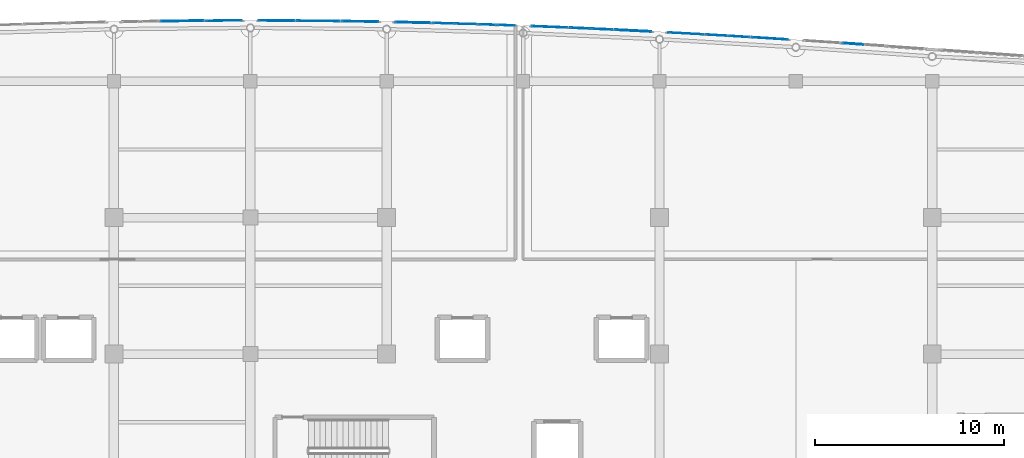
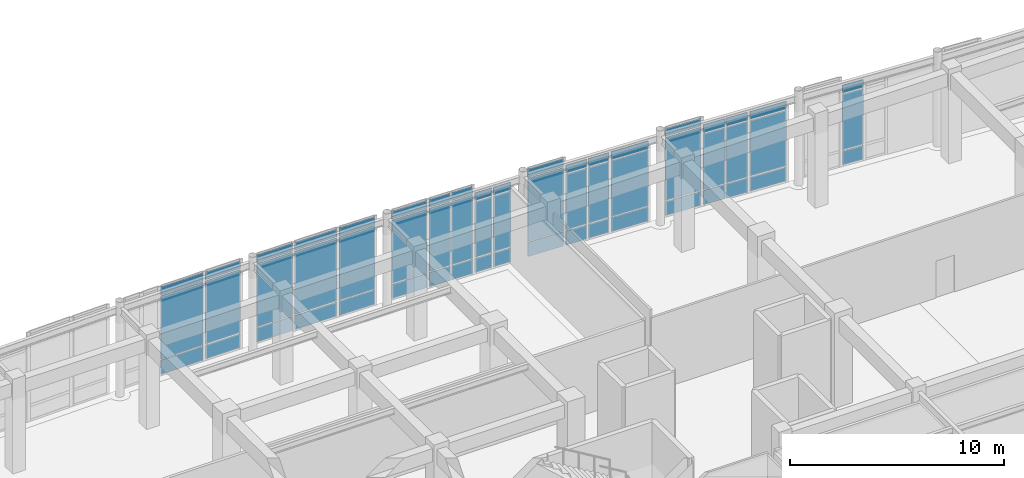
# One storey, part 66 of 102: 57 plates, 15 elements without a shape of their own.
"""IFC4 building model written with IfcOpenShell, lengths in metres."""

from ifc_helpers import new_model, si_unit, direction, frame, origin, origin_2d, place, context, subcontext, project, spatial, rectangle, extrude, material, layer, layer_set, type_object, element, aggregate, save


model = new_model("IFC4")

# Units and contexts
model_context = context("Model", 3, precision=1e-05, world=origin(), true_north=direction((0.0, 1.0)))
body_context = subcontext(model_context, "Body", "Model", "MODEL_VIEW")
ifc_project = project(units=[si_unit("LENGTHUNIT", "METRE"), si_unit("AREAUNIT", "SQUARE_METRE"), si_unit("VOLUMEUNIT", "CUBIC_METRE"), si_unit("PLANEANGLEUNIT", "RADIAN"), si_unit("MASSUNIT", "GRAM", prefix="KILO")], contexts=[model_context])

# Site, building, storey
site_placement = place(None, origin())
site = spatial("IfcSite", under=ifc_project, at=site_placement, CompositionType="ELEMENT")
building_placement = place(site_placement, origin())
building = spatial("IfcBuilding", under=site, at=building_placement, Name="Carrowvane Square Congress Hotel", CompositionType="ELEMENT")
storey_placement = place(building_placement, origin())
storey = spatial("IfcBuildingStorey", under=building, at=storey_placement, Name="L00", CompositionType="ELEMENT", Elevation=0.0)

# Curtain wall, plates
ifc_material_1 = material(Name="Anodised aluminium", Category="aluminium")
ifc_layer_1 = layer(ifc_material_1, 0.174072265625)
ifc_layer_set_1 = layer_set([ifc_layer_1], Name="Anodised aluminium")
curtain_wall_type_1 = type_object("IfcCurtainWallType", Name="CW-SYS-2", PredefinedType="NOTDEFINED", material=ifc_layer_set_1)
curtain_wall_1_placement = place(storey_placement, origin())
curtain_wall_1 = element("IfcCurtainWall", 1, at=curtain_wall_1_placement, inside=storey, type_object=curtain_wall_type_1, Name="L00 unitised curtain wall 25", PredefinedType="NOTDEFINED")
ifc_material_2 = material(Name="Double-glazed low-E glass", Category="glass")
ifc_layer_2 = layer(ifc_material_2, 0.028076171875)
ifc_layer_set_2 = layer_set([ifc_layer_2], Name="Double-glazed low-E glass")
plate_type_1 = type_object("IfcPlateType", Name="CW-PAN-1", PredefinedType="CURTAIN_PANEL", material=ifc_layer_set_2)
plate_1_placement = place(storey_placement, frame((96.607666015625, 116.595458984375, 0.070068359375), z_axis=(0.0, 0.0, 1.0), x_axis=(0.999994652529, 0.003270307911, 0.0)))
plate_1 = element("IfcPlate", 2, at=plate_1_placement, type_object=plate_type_1, Name="CW-2 panel 1.1", PredefinedType="CURTAIN_PANEL", context=body_context, shape_type="SweptSolid", body=[
    extrude(rectangle(XDim=1.875, YDim=0.028076171875, at=origin_2d()), origin(), (0.0, 0.0, 1.0), 0.794921875),
])
plate_2_placement = place(storey_placement, frame((96.607666015625, 116.595458984375, 0.93505859375), z_axis=(0.0, 0.0, 1.0), x_axis=(0.999994652529, 0.003270307911, 0.0)))
plate_2 = element("IfcPlate", 3, at=plate_2_placement, type_object=plate_type_1, Name="CW-2 panel 1.2", PredefinedType="CURTAIN_PANEL", context=body_context, shape_type="SweptSolid", body=[
    extrude(rectangle(XDim=1.875, YDim=0.028076171875, at=origin_2d()), origin(), (0.0, 0.0, 1.0), 3.580078125),
])
plate_3_placement = place(storey_placement, frame((96.607666015625, 116.595458984375, 4.5849609375), z_axis=(0.0, 0.0, 1.0), x_axis=(0.999994652529, 0.003270307911, 0.0)))
plate_3 = element("IfcPlate", 4, at=plate_3_placement, type_object=plate_type_1, Name="CW-2 panel 1.3", PredefinedType="CURTAIN_PANEL", context=body_context, shape_type="SweptSolid", body=[
    extrude(rectangle(XDim=1.875, YDim=0.028076171875, at=origin_2d()), origin(), (0.0, 0.0, 1.0), 0.445068359375),
])
aggregate(curtain_wall_1, [plate_1, plate_2, plate_3])

ifc_material_3 = material(Name="Anodised aluminium", Category="aluminium")
ifc_layer_3 = layer(ifc_material_3, 0.23388671875)
ifc_layer_set_3 = layer_set([ifc_layer_3], Name="Anodised aluminium")
curtain_wall_type_2 = type_object("IfcCurtainWallType", Name="CW-SYS-7", PredefinedType="NOTDEFINED", material=ifc_layer_set_3)
curtain_wall_2_placement = place(storey_placement, origin())
curtain_wall_2 = element("IfcCurtainWall", 5, at=curtain_wall_2_placement, inside=storey, type_object=curtain_wall_type_2, Name="L00 unitised curtain wall 30", PredefinedType="NOTDEFINED")
plate_4_placement = place(storey_placement, frame((108.215087890625, 116.4580078125, 0.06005859375), z_axis=(0.0, 0.0, 1.0), x_axis=(0.999589848065, -0.028638010501, 0.0)))
plate_4 = element("IfcPlate", 6, at=plate_4_placement, type_object=plate_type_1, Name="CW-7 panel 1.1", PredefinedType="CURTAIN_PANEL", context=body_context, shape_type="SweptSolid", body=[
    extrude(rectangle(XDim=1.110595703125, YDim=0.028076171875, at=origin_2d()), origin(), (0.0, 0.0, 1.0), 0.81005859375),
])
plate_5_placement = place(storey_placement, frame((108.215087890625, 116.4580078125, 0.93017578125), z_axis=(0.0, 0.0, 1.0), x_axis=(0.999589848065, -0.028638010501, 0.0)))
plate_5 = element("IfcPlate", 7, at=plate_5_placement, type_object=plate_type_1, Name="CW-7 panel 1.2", PredefinedType="CURTAIN_PANEL", context=body_context, shape_type="SweptSolid", body=[
    extrude(rectangle(XDim=1.110595703125, YDim=0.028076171875, at=origin_2d()), origin(), (0.0, 0.0, 1.0), 3.590087890625),
])
plate_6_placement = place(storey_placement, frame((108.215087890625, 116.4580078125, 4.580078125), z_axis=(0.0, 0.0, 1.0), x_axis=(0.999589848065, -0.028638010501, 0.0)))
plate_6 = element("IfcPlate", 8, at=plate_6_placement, type_object=plate_type_1, Name="CW-7 panel 1.3", PredefinedType="CURTAIN_PANEL", context=body_context, shape_type="SweptSolid", body=[
    extrude(rectangle(XDim=1.110595703125, YDim=0.028076171875, at=origin_2d()), origin(), (0.0, 0.0, 1.0), 0.4599609375),
])
plate_7_placement = place(storey_placement, frame((109.385009765625, 116.424560546875, 0.06005859375), z_axis=(0.0, 0.0, 1.0), x_axis=(0.999589848065, -0.028638010501, 0.0)))
plate_7 = element("IfcPlate", 9, at=plate_7_placement, type_object=plate_type_1, Name="CW-7 panel 2.1", PredefinedType="CURTAIN_PANEL", context=body_context, shape_type="SweptSolid", body=[
    extrude(rectangle(XDim=1.110595703125, YDim=0.028076171875, at=origin_2d()), origin(), (0.0, 0.0, 1.0), 0.81005859375),
])
plate_8_placement = place(storey_placement, frame((109.385009765625, 116.424560546875, 0.93017578125), z_axis=(0.0, 0.0, 1.0), x_axis=(0.999589848065, -0.028638010501, 0.0)))
plate_8 = element("IfcPlate", 10, at=plate_8_placement, type_object=plate_type_1, Name="CW-7 panel 2.2", PredefinedType="CURTAIN_PANEL", context=body_context, shape_type="SweptSolid", body=[
    extrude(rectangle(XDim=1.110595703125, YDim=0.028076171875, at=origin_2d()), origin(), (0.0, 0.0, 1.0), 3.590087890625),
])
plate_9_placement = place(storey_placement, frame((109.385009765625, 116.424560546875, 4.580078125), z_axis=(0.0, 0.0, 1.0), x_axis=(0.999589848065, -0.028638010501, 0.0)))
plate_9 = element("IfcPlate", 11, at=plate_9_placement, type_object=plate_type_1, Name="CW-7 panel 2.3", PredefinedType="CURTAIN_PANEL", context=body_context, shape_type="SweptSolid", body=[
    extrude(rectangle(XDim=1.110595703125, YDim=0.028076171875, at=origin_2d()), origin(), (0.0, 0.0, 1.0), 0.4599609375),
])
aggregate(curtain_wall_2, [plate_4, plate_5, plate_6, plate_7, plate_8, plate_9])

ifc_material_4 = material(Name="Anodised aluminium", Category="aluminium")
ifc_layer_4 = layer(ifc_material_4, 0.197998046875)
ifc_layer_set_4 = layer_set([ifc_layer_4], Name="Anodised aluminium")
curtain_wall_type_3 = type_object("IfcCurtainWallType", Name="CW-SYS-4", PredefinedType="NOTDEFINED", material=ifc_layer_set_4)
curtain_wall_3_placement = place(storey_placement, origin())
curtain_wall_3 = element("IfcCurtainWall", 12, at=curtain_wall_3_placement, inside=storey, type_object=curtain_wall_type_3, Name="L00 unitised curtain wall 35", PredefinedType="NOTDEFINED")
plate_10_placement = place(storey_placement, frame((121.002197265625, 115.920654296875, 0.070068359375), z_axis=(0.0, 0.0, 1.0), x_axis=(0.998496473856, -0.054815980317, 0.0)))
plate_10 = element("IfcPlate", 13, at=plate_10_placement, type_object=plate_type_1, Name="CW-4 panel 1.1", PredefinedType="CURTAIN_PANEL", context=body_context, shape_type="SweptSolid", body=[
    extrude(rectangle(XDim=1.8583984375, YDim=0.028076171875, at=origin_2d()), origin(), (0.0, 0.0, 1.0), 0.794921875),
])
plate_11_placement = place(storey_placement, frame((121.002197265625, 115.920654296875, 0.93505859375), z_axis=(0.0, 0.0, 1.0), x_axis=(0.998496473856, -0.054815980317, 0.0)))
plate_11 = element("IfcPlate", 14, at=plate_11_placement, type_object=plate_type_1, Name="CW-4 panel 1.2", PredefinedType="CURTAIN_PANEL", context=body_context, shape_type="SweptSolid", body=[
    extrude(rectangle(XDim=1.8583984375, YDim=0.028076171875, at=origin_2d()), origin(), (0.0, 0.0, 1.0), 3.580078125),
])
plate_12_placement = place(storey_placement, frame((121.002197265625, 115.920654296875, 4.5849609375), z_axis=(0.0, 0.0, 1.0), x_axis=(0.998496473856, -0.054815980317, 0.0)))
plate_12 = element("IfcPlate", 15, at=plate_12_placement, type_object=plate_type_1, Name="CW-4 panel 1.3", PredefinedType="CURTAIN_PANEL", context=body_context, shape_type="SweptSolid", body=[
    extrude(rectangle(XDim=1.8583984375, YDim=0.028076171875, at=origin_2d()), origin(), (0.0, 0.0, 1.0), 0.445068359375),
])
aggregate(curtain_wall_3, [plate_10, plate_11, plate_12])

ifc_material_5 = material(Name="Anodised aluminium", Category="aluminium")
ifc_layer_5 = layer(ifc_material_5, 0.18603515625)
ifc_layer_set_5 = layer_set([ifc_layer_5], Name="Anodised aluminium")
curtain_wall_type_4 = type_object("IfcCurtainWallType", Name="CW-SYS-3", PredefinedType="NOTDEFINED", material=ifc_layer_set_5)
curtain_wall_4_placement = place(storey_placement, origin())
curtain_wall_4 = element("IfcCurtainWall", 16, at=curtain_wall_4_placement, inside=storey, type_object=curtain_wall_type_4, Name="L00 unitised curtain wall 26", PredefinedType="NOTDEFINED")
ifc_material_6 = material(Name="Double-glazed low-E glass", Category="glass")
ifc_layer_6 = layer(ifc_material_6, 0.031982421875)
ifc_layer_set_6 = layer_set([ifc_layer_6], Name="Double-glazed low-E glass")
plate_type_2 = type_object("IfcPlateType", Name="CW-PAN-2", PredefinedType="CURTAIN_PANEL", material=ifc_layer_set_6)
plate_13_placement = place(storey_placement, frame((99.392333984375, 116.595458984375, 0.06005859375), z_axis=(0.0, 0.0, 1.0), x_axis=(0.999994652529, -0.003270307911, 0.0)))
plate_13 = element("IfcPlate", 17, at=plate_13_placement, type_object=plate_type_2, Name="CW-3 panel 1.1", PredefinedType="CURTAIN_PANEL", context=body_context, shape_type="SweptSolid", body=[
    extrude(rectangle(XDim=1.89501953125, YDim=0.031982421875, at=origin_2d()), origin(), (0.0, 0.0, 1.0), 0.81005859375),
])
plate_14_placement = place(storey_placement, frame((99.392333984375, 116.595458984375, 0.93017578125), z_axis=(0.0, 0.0, 1.0), x_axis=(0.999994652529, -0.003270307911, 0.0)))
plate_14 = element("IfcPlate", 18, at=plate_14_placement, type_object=plate_type_2, Name="CW-3 panel 1.2", PredefinedType="CURTAIN_PANEL", context=body_context, shape_type="SweptSolid", body=[
    extrude(rectangle(XDim=1.89501953125, YDim=0.031982421875, at=origin_2d()), origin(), (0.0, 0.0, 1.0), 3.590087890625),
])
plate_15_placement = place(storey_placement, frame((99.392333984375, 116.595458984375, 4.580078125), z_axis=(0.0, 0.0, 1.0), x_axis=(0.999994652529, -0.003270307911, 0.0)))
plate_15 = element("IfcPlate", 19, at=plate_15_placement, type_object=plate_type_2, Name="CW-3 panel 1.3", PredefinedType="CURTAIN_PANEL", context=body_context, shape_type="SweptSolid", body=[
    extrude(rectangle(XDim=1.89501953125, YDim=0.031982421875, at=origin_2d()), origin(), (0.0, 0.0, 1.0), 0.4599609375),
])
aggregate(curtain_wall_4, [plate_13, plate_14, plate_15])

ifc_material_7 = material(Name="Anodised aluminium", Category="aluminium")
ifc_layer_7 = layer(ifc_material_7, 0.24609375)
ifc_layer_set_7 = layer_set([ifc_layer_7], Name="Anodised aluminium")
curtain_wall_type_5 = type_object("IfcCurtainWallType", Name="CW-SYS-8", PredefinedType="NOTDEFINED", material=ifc_layer_set_7)
curtain_wall_5_placement = place(storey_placement, origin())
curtain_wall_5 = element("IfcCurtainWall", 20, at=curtain_wall_5_placement, inside=storey, type_object=curtain_wall_type_5, Name="L00 unitised curtain wall 31", PredefinedType="NOTDEFINED")
plate_16_placement = place(storey_placement, frame((110.52490234375, 116.388916015625, 0.070068359375), z_axis=(0.0, 0.0, 1.0), x_axis=(0.999403663525, -0.034529948347, 0.0)))
plate_16 = element("IfcPlate", 21, at=plate_16_placement, type_object=plate_type_2, Name="CW-8 panel 1.1", PredefinedType="CURTAIN_PANEL", context=body_context, shape_type="SweptSolid", body=[
    extrude(rectangle(XDim=0.910400390625, YDim=0.031982421875, at=origin_2d()), origin(), (0.0, 0.0, 1.0), 0.794921875),
])
plate_17_placement = place(storey_placement, frame((110.52490234375, 116.388916015625, 0.93505859375), z_axis=(0.0, 0.0, 1.0), x_axis=(0.999403663525, -0.034529948347, 0.0)))
plate_17 = element("IfcPlate", 22, at=plate_17_placement, type_object=plate_type_2, Name="CW-8 panel 1.2", PredefinedType="CURTAIN_PANEL", context=body_context, shape_type="SweptSolid", body=[
    extrude(rectangle(XDim=0.910400390625, YDim=0.031982421875, at=origin_2d()), origin(), (0.0, 0.0, 1.0), 3.155517578125),
])
plate_18_placement = place(storey_placement, frame((110.52490234375, 116.388916015625, 4.16064453125), z_axis=(0.0, 0.0, 1.0), x_axis=(0.999403663525, -0.034529948347, 0.0)))
plate_18 = element("IfcPlate", 23, at=plate_18_placement, type_object=plate_type_2, Name="CW-8 panel 1.3", PredefinedType="CURTAIN_PANEL", context=body_context, shape_type="SweptSolid", body=[
    extrude(rectangle(XDim=0.910400390625, YDim=0.031982421875, at=origin_2d()), origin(), (0.0, 0.0, 1.0), 0.445068359375),
])
plate_19_placement = place(storey_placement, frame((111.504638671875, 116.35498046875, 0.070068359375), z_axis=(0.0, 0.0, 1.0), x_axis=(0.999403663525, -0.034529948347, 0.0)))
plate_19 = element("IfcPlate", 24, at=plate_19_placement, type_object=plate_type_2, Name="CW-8 panel 2.1", PredefinedType="CURTAIN_PANEL", context=body_context, shape_type="SweptSolid", body=[
    extrude(rectangle(XDim=0.910400390625, YDim=0.031982421875, at=origin_2d()), origin(), (0.0, 0.0, 1.0), 0.794921875),
])
plate_20_placement = place(storey_placement, frame((111.504638671875, 116.35498046875, 0.93505859375), z_axis=(0.0, 0.0, 1.0), x_axis=(0.999403663525, -0.034529948347, 0.0)))
plate_20 = element("IfcPlate", 25, at=plate_20_placement, type_object=plate_type_2, Name="CW-8 panel 2.2", PredefinedType="CURTAIN_PANEL", context=body_context, shape_type="SweptSolid", body=[
    extrude(rectangle(XDim=0.910400390625, YDim=0.031982421875, at=origin_2d()), origin(), (0.0, 0.0, 1.0), 3.155517578125),
])
plate_21_placement = place(storey_placement, frame((111.504638671875, 116.35498046875, 4.16064453125), z_axis=(0.0, 0.0, 1.0), x_axis=(0.999403663525, -0.034529948347, 0.0)))
plate_21 = element("IfcPlate", 26, at=plate_21_placement, type_object=plate_type_2, Name="CW-8 panel 2.3", PredefinedType="CURTAIN_PANEL", context=body_context, shape_type="SweptSolid", body=[
    extrude(rectangle(XDim=0.910400390625, YDim=0.031982421875, at=origin_2d()), origin(), (0.0, 0.0, 1.0), 0.445068359375),
])
aggregate(curtain_wall_5, [plate_16, plate_17, plate_18, plate_19, plate_20, plate_21])

ifc_material_8 = material(Name="Anodised aluminium", Category="aluminium")
ifc_layer_8 = layer(ifc_material_8, 0.2099609375)
ifc_layer_set_8 = layer_set([ifc_layer_8], Name="Anodised aluminium")
curtain_wall_type_6 = type_object("IfcCurtainWallType", Name="CW-SYS-5", PredefinedType="NOTDEFINED", material=ifc_layer_set_8)
curtain_wall_6_placement = place(storey_placement, origin())
curtain_wall_6 = element("IfcCurtainWall", 27, at=curtain_wall_6_placement, inside=storey, type_object=curtain_wall_type_6, Name="L00 unitised curtain wall 36", PredefinedType="NOTDEFINED")
plate_22_placement = place(storey_placement, frame((122.614990234375, 115.82958984375, 0.06005859375), z_axis=(0.0, 0.0, 1.0), x_axis=(0.998266763162, -0.058851249486, 0.0)))
plate_22 = element("IfcPlate", 28, at=plate_22_placement, type_object=plate_type_2, Name="CW-5 panel 1.1", PredefinedType="CURTAIN_PANEL", context=body_context, shape_type="SweptSolid", body=[
    extrude(rectangle(XDim=1.112060546875, YDim=0.031982421875, at=origin_2d()), origin(), (0.0, 0.0, 1.0), 0.81005859375),
])
plate_23_placement = place(storey_placement, frame((122.614990234375, 115.82958984375, 0.929931640625), z_axis=(0.0, 0.0, 1.0), x_axis=(0.998266763162, -0.058851249486, 0.0)))
plate_23 = element("IfcPlate", 29, at=plate_23_placement, type_object=plate_type_2, Name="CW-5 panel 1.2", PredefinedType="CURTAIN_PANEL", context=body_context, shape_type="SweptSolid", body=[
    extrude(rectangle(XDim=1.112060546875, YDim=0.031982421875, at=origin_2d()), origin(), (0.0, 0.0, 1.0), 3.16552734375),
])
plate_24_placement = place(storey_placement, frame((122.614990234375, 115.82958984375, 4.155517578125), z_axis=(0.0, 0.0, 1.0), x_axis=(0.998266763162, -0.058851249486, 0.0)))
plate_24 = element("IfcPlate", 30, at=plate_24_placement, type_object=plate_type_2, Name="CW-5 panel 1.3", PredefinedType="CURTAIN_PANEL", context=body_context, shape_type="SweptSolid", body=[
    extrude(rectangle(XDim=1.112060546875, YDim=0.031982421875, at=origin_2d()), origin(), (0.0, 0.0, 1.0), 0.4599609375),
])
plate_25_placement = place(storey_placement, frame((123.78515625, 115.760498046875, 0.06005859375), z_axis=(0.0, 0.0, 1.0), x_axis=(0.998266763162, -0.058851249486, 0.0)))
plate_25 = element("IfcPlate", 31, at=plate_25_placement, type_object=plate_type_2, Name="CW-5 panel 2.1", PredefinedType="CURTAIN_PANEL", context=body_context, shape_type="SweptSolid", body=[
    extrude(rectangle(XDim=1.112060546875, YDim=0.031982421875, at=origin_2d()), origin(), (0.0, 0.0, 1.0), 0.81005859375),
])
plate_26_placement = place(storey_placement, frame((123.78515625, 115.760498046875, 0.929931640625), z_axis=(0.0, 0.0, 1.0), x_axis=(0.998266763162, -0.058851249486, 0.0)))
plate_26 = element("IfcPlate", 32, at=plate_26_placement, type_object=plate_type_2, Name="CW-5 panel 2.2", PredefinedType="CURTAIN_PANEL", context=body_context, shape_type="SweptSolid", body=[
    extrude(rectangle(XDim=1.112060546875, YDim=0.031982421875, at=origin_2d()), origin(), (0.0, 0.0, 1.0), 3.16552734375),
])
plate_27_placement = place(storey_placement, frame((123.78515625, 115.760498046875, 4.155517578125), z_axis=(0.0, 0.0, 1.0), x_axis=(0.998266763162, -0.058851249486, 0.0)))
plate_27 = element("IfcPlate", 33, at=plate_27_placement, type_object=plate_type_2, Name="CW-5 panel 2.3", PredefinedType="CURTAIN_PANEL", context=body_context, shape_type="SweptSolid", body=[
    extrude(rectangle(XDim=1.112060546875, YDim=0.031982421875, at=origin_2d()), origin(), (0.0, 0.0, 1.0), 0.4599609375),
])
aggregate(curtain_wall_6, [plate_22, plate_23, plate_24, plate_25, plate_26, plate_27])

curtain_wall_7_placement = place(storey_placement, origin())
curtain_wall_7 = element("IfcCurtainWall", 34, at=curtain_wall_7_placement, inside=storey, type_object=curtain_wall_type_3, Name="L00 unitised curtain wall 27", PredefinedType="NOTDEFINED")
ifc_material_9 = material(Name="Double-glazed low-E glass", Category="glass")
ifc_layer_9 = layer(ifc_material_9, 0.035888671875)
ifc_layer_set_9 = layer_set([ifc_layer_9], Name="Double-glazed low-E glass")
plate_type_3 = type_object("IfcPlateType", Name="CW-PAN-3", PredefinedType="CURTAIN_PANEL", material=ifc_layer_set_9)
plate_28_placement = place(storey_placement, frame((101.60009765625, 116.580322265625, 0.070068359375), z_axis=(0.0, 0.0, 1.0), x_axis=(0.999952146231, -0.009782905924, 0.0)))
plate_28 = element("IfcPlate", 35, at=plate_28_placement, type_object=plate_type_3, Name="CW-4 panel 1.1", PredefinedType="CURTAIN_PANEL", context=body_context, shape_type="SweptSolid", body=[
    extrude(rectangle(XDim=2.260009765625, YDim=0.035888671875, at=origin_2d()), origin(), (0.0, 0.0, 1.0), 0.794921875),
])
plate_29_placement = place(storey_placement, frame((101.60009765625, 116.580322265625, 0.93505859375), z_axis=(0.0, 0.0, 1.0), x_axis=(0.999952146231, -0.009782905924, 0.0)))
plate_29 = element("IfcPlate", 36, at=plate_29_placement, type_object=plate_type_3, Name="CW-4 panel 1.2", PredefinedType="CURTAIN_PANEL", context=body_context, shape_type="SweptSolid", body=[
    extrude(rectangle(XDim=2.260009765625, YDim=0.035888671875, at=origin_2d()), origin(), (0.0, 0.0, 1.0), 3.580078125),
])
plate_30_placement = place(storey_placement, frame((101.60009765625, 116.580322265625, 4.5849609375), z_axis=(0.0, 0.0, 1.0), x_axis=(0.999952146231, -0.009782905924, 0.0)))
plate_30 = element("IfcPlate", 37, at=plate_30_placement, type_object=plate_type_3, Name="CW-4 panel 1.3", PredefinedType="CURTAIN_PANEL", context=body_context, shape_type="SweptSolid", body=[
    extrude(rectangle(XDim=2.260009765625, YDim=0.035888671875, at=origin_2d()), origin(), (0.0, 0.0, 1.0), 0.445068359375),
])
aggregate(curtain_wall_7, [plate_28, plate_29, plate_30])

ifc_material_10 = material(Name="Anodised aluminium", Category="aluminium")
ifc_layer_10 = layer(ifc_material_10, 0.162109375)
ifc_layer_set_10 = layer_set([ifc_layer_10], Name="Anodised aluminium")
curtain_wall_type_7 = type_object("IfcCurtainWallType", Name="CW-SYS-1", PredefinedType="NOTDEFINED", material=ifc_layer_set_10)
curtain_wall_8_placement = place(storey_placement, origin())
curtain_wall_8 = element("IfcCurtainWall", 38, at=curtain_wall_8_placement, inside=storey, type_object=curtain_wall_type_7, Name="L00 unitised curtain wall 32", PredefinedType="NOTDEFINED")
plate_31_placement = place(storey_placement, frame((113.79931640625, 116.267822265625, 0.06005859375), z_axis=(0.0, 0.0, 1.0), x_axis=(0.999194428656, -0.040130957403, 0.0)))
plate_31 = element("IfcPlate", 39, at=plate_31_placement, type_object=plate_type_3, Name="CW-1 panel 1.1", PredefinedType="CURTAIN_PANEL", context=body_context, shape_type="SweptSolid", body=[
    extrude(rectangle(XDim=1.8828125, YDim=0.035888671875, at=origin_2d()), origin(), (0.0, 0.0, 1.0), 0.81005859375),
])
plate_32_placement = place(storey_placement, frame((113.79931640625, 116.267822265625, 0.93017578125), z_axis=(0.0, 0.0, 1.0), x_axis=(0.999194428656, -0.040130957403, 0.0)))
plate_32 = element("IfcPlate", 40, at=plate_32_placement, type_object=plate_type_3, Name="CW-1 panel 1.2", PredefinedType="CURTAIN_PANEL", context=body_context, shape_type="SweptSolid", body=[
    extrude(rectangle(XDim=1.8828125, YDim=0.035888671875, at=origin_2d()), origin(), (0.0, 0.0, 1.0), 3.590087890625),
])
plate_33_placement = place(storey_placement, frame((113.79931640625, 116.267822265625, 4.580078125), z_axis=(0.0, 0.0, 1.0), x_axis=(0.999194428656, -0.040130957403, 0.0)))
plate_33 = element("IfcPlate", 41, at=plate_33_placement, type_object=plate_type_3, Name="CW-1 panel 1.3", PredefinedType="CURTAIN_PANEL", context=body_context, shape_type="SweptSolid", body=[
    extrude(rectangle(XDim=1.8828125, YDim=0.035888671875, at=origin_2d()), origin(), (0.0, 0.0, 1.0), 0.4599609375),
])
aggregate(curtain_wall_8, [plate_31, plate_32, plate_33])

ifc_material_11 = material(Name="Anodised aluminium", Category="aluminium")
ifc_layer_11 = layer(ifc_material_11, 0.221923828125)
ifc_layer_set_11 = layer_set([ifc_layer_11], Name="Anodised aluminium")
curtain_wall_type_8 = type_object("IfcCurtainWallType", Name="CW-SYS-6", PredefinedType="NOTDEFINED", material=ifc_layer_set_11)
curtain_wall_9_placement = place(storey_placement, origin())
curtain_wall_9 = element("IfcCurtainWall", 42, at=curtain_wall_9_placement, inside=storey, type_object=curtain_wall_type_8, Name="L00 unitised curtain wall 37", PredefinedType="NOTDEFINED")
plate_34_placement = place(storey_placement, frame((125.419921875, 115.66064453125, 0.070068359375), z_axis=(0.0, 0.0, 1.0), x_axis=(0.998051398046, -0.062397170272, 0.0)))
plate_34 = element("IfcPlate", 43, at=plate_34_placement, type_object=plate_type_3, Name="CW-6 panel 1.1", PredefinedType="CURTAIN_PANEL", context=body_context, shape_type="SweptSolid", body=[
    extrude(rectangle(XDim=1.904052734375, YDim=0.035888671875, at=origin_2d()), origin(), (0.0, 0.0, 1.0), 0.794921875),
])
plate_35_placement = place(storey_placement, frame((125.419921875, 115.66064453125, 0.93505859375), z_axis=(0.0, 0.0, 1.0), x_axis=(0.998051398046, -0.062397170272, 0.0)))
plate_35 = element("IfcPlate", 44, at=plate_35_placement, type_object=plate_type_3, Name="CW-6 panel 1.2", PredefinedType="CURTAIN_PANEL", context=body_context, shape_type="SweptSolid", body=[
    extrude(rectangle(XDim=1.904052734375, YDim=0.035888671875, at=origin_2d()), origin(), (0.0, 0.0, 1.0), 3.155517578125),
])
plate_36_placement = place(storey_placement, frame((125.419921875, 115.66064453125, 4.16064453125), z_axis=(0.0, 0.0, 1.0), x_axis=(0.998051398046, -0.062397170272, 0.0)))
plate_36 = element("IfcPlate", 45, at=plate_36_placement, type_object=plate_type_3, Name="CW-6 panel 1.3", PredefinedType="CURTAIN_PANEL", context=body_context, shape_type="SweptSolid", body=[
    extrude(rectangle(XDim=1.904052734375, YDim=0.035888671875, at=origin_2d()), origin(), (0.0, 0.0, 1.0), 0.445068359375),
])
aggregate(curtain_wall_9, [plate_34, plate_35, plate_36])

curtain_wall_10_placement = place(storey_placement, origin())
curtain_wall_10 = element("IfcCurtainWall", 46, at=curtain_wall_10_placement, inside=storey, type_object=curtain_wall_type_6, Name="L00 unitised curtain wall 28", PredefinedType="NOTDEFINED")
ifc_material_12 = material(Name="Double-glazed low-E glass", Category="glass")
ifc_layer_12 = layer(ifc_material_12, 0.0419921875)
ifc_layer_set_12 = layer_set([ifc_layer_12], Name="Double-glazed low-E glass")
plate_type_4 = type_object("IfcPlateType", Name="CW-PAN-4", PredefinedType="CURTAIN_PANEL", material=ifc_layer_set_12)
plate_37_placement = place(storey_placement, frame((103.811279296875, 116.55224609375, 0.06005859375), z_axis=(0.0, 0.0, 1.0), x_axis=(0.99986851233, -0.016215981364, 0.0)))
plate_37 = element("IfcPlate", 47, at=plate_37_placement, type_object=plate_type_4, Name="CW-5 panel 1.1", PredefinedType="CURTAIN_PANEL", context=body_context, shape_type="SweptSolid", body=[
    extrude(rectangle(XDim=1.902587890625, YDim=0.0419921875, at=origin_2d()), origin(), (0.0, 0.0, 1.0), 0.81005859375),
])
plate_38_placement = place(storey_placement, frame((103.811279296875, 116.55224609375, 0.93017578125), z_axis=(0.0, 0.0, 1.0), x_axis=(0.99986851233, -0.016215981364, 0.0)))
plate_38 = element("IfcPlate", 48, at=plate_38_placement, type_object=plate_type_4, Name="CW-5 panel 1.2", PredefinedType="CURTAIN_PANEL", context=body_context, shape_type="SweptSolid", body=[
    extrude(rectangle(XDim=1.902587890625, YDim=0.0419921875, at=origin_2d()), origin(), (0.0, 0.0, 1.0), 3.590087890625),
])
plate_39_placement = place(storey_placement, frame((103.811279296875, 116.55224609375, 4.580078125), z_axis=(0.0, 0.0, 1.0), x_axis=(0.99986851233, -0.016215981364, 0.0)))
plate_39 = element("IfcPlate", 49, at=plate_39_placement, type_object=plate_type_4, Name="CW-5 panel 1.3", PredefinedType="CURTAIN_PANEL", context=body_context, shape_type="SweptSolid", body=[
    extrude(rectangle(XDim=1.902587890625, YDim=0.0419921875, at=origin_2d()), origin(), (0.0, 0.0, 1.0), 0.4599609375),
])
aggregate(curtain_wall_10, [plate_37, plate_38, plate_39])

curtain_wall_11_placement = place(storey_placement, origin())
curtain_wall_11 = element("IfcCurtainWall", 50, at=curtain_wall_11_placement, inside=storey, type_object=curtain_wall_type_1, Name="L00 unitised curtain wall 33", PredefinedType="NOTDEFINED")
plate_40_placement = place(storey_placement, frame((115.41748046875, 116.199462890625, 0.070068359375), z_axis=(0.0, 0.0, 1.0), x_axis=(0.998968385726, -0.045411059449, 0.0)))
plate_40 = element("IfcPlate", 51, at=plate_40_placement, type_object=plate_type_4, Name="CW-2 panel 1.1", PredefinedType="CURTAIN_PANEL", context=body_context, shape_type="SweptSolid", body=[
    extrude(rectangle(XDim=1.09619140625, YDim=0.0419921875, at=origin_2d()), origin(), (0.0, 0.0, 1.0), 0.794921875),
])
plate_41_placement = place(storey_placement, frame((115.41748046875, 116.199462890625, 0.93505859375), z_axis=(0.0, 0.0, 1.0), x_axis=(0.998968385726, -0.045411059449, 0.0)))
plate_41 = element("IfcPlate", 52, at=plate_41_placement, type_object=plate_type_4, Name="CW-2 panel 1.2", PredefinedType="CURTAIN_PANEL", context=body_context, shape_type="SweptSolid", body=[
    extrude(rectangle(XDim=1.09619140625, YDim=0.0419921875, at=origin_2d()), origin(), (0.0, 0.0, 1.0), 3.155517578125),
])
plate_42_placement = place(storey_placement, frame((115.41748046875, 116.199462890625, 4.16064453125), z_axis=(0.0, 0.0, 1.0), x_axis=(0.998968385726, -0.045411059449, 0.0)))
plate_42 = element("IfcPlate", 53, at=plate_42_placement, type_object=plate_type_4, Name="CW-2 panel 1.3", PredefinedType="CURTAIN_PANEL", context=body_context, shape_type="SweptSolid", body=[
    extrude(rectangle(XDim=1.09619140625, YDim=0.0419921875, at=origin_2d()), origin(), (0.0, 0.0, 1.0), 0.445068359375),
])
plate_43_placement = place(storey_placement, frame((116.58251953125, 116.146484375, 0.070068359375), z_axis=(0.0, 0.0, 1.0), x_axis=(0.998968385726, -0.045411059449, 0.0)))
plate_43 = element("IfcPlate", 54, at=plate_43_placement, type_object=plate_type_4, Name="CW-2 panel 2.1", PredefinedType="CURTAIN_PANEL", context=body_context, shape_type="SweptSolid", body=[
    extrude(rectangle(XDim=1.09619140625, YDim=0.0419921875, at=origin_2d()), origin(), (0.0, 0.0, 1.0), 0.794921875),
])
plate_44_placement = place(storey_placement, frame((116.58251953125, 116.146484375, 0.93505859375), z_axis=(0.0, 0.0, 1.0), x_axis=(0.998968385726, -0.045411059449, 0.0)))
plate_44 = element("IfcPlate", 55, at=plate_44_placement, type_object=plate_type_4, Name="CW-2 panel 2.2", PredefinedType="CURTAIN_PANEL", context=body_context, shape_type="SweptSolid", body=[
    extrude(rectangle(XDim=1.09619140625, YDim=0.0419921875, at=origin_2d()), origin(), (0.0, 0.0, 1.0), 3.155517578125),
])
plate_45_placement = place(storey_placement, frame((116.58251953125, 116.146484375, 4.16064453125), z_axis=(0.0, 0.0, 1.0), x_axis=(0.998968385726, -0.045411059449, 0.0)))
plate_45 = element("IfcPlate", 56, at=plate_45_placement, type_object=plate_type_4, Name="CW-2 panel 2.3", PredefinedType="CURTAIN_PANEL", context=body_context, shape_type="SweptSolid", body=[
    extrude(rectangle(XDim=1.09619140625, YDim=0.0419921875, at=origin_2d()), origin(), (0.0, 0.0, 1.0), 0.445068359375),
])
aggregate(curtain_wall_11, [plate_40, plate_41, plate_42, plate_43, plate_44, plate_45])

curtain_wall_12_placement = place(storey_placement, origin())
curtain_wall_12 = element("IfcCurtainWall", 57, at=curtain_wall_12_placement, inside=storey, type_object=curtain_wall_type_7, Name="L00 unitised curtain wall 24", PredefinedType="NOTDEFINED")
ifc_material_13 = material(Name="Double-glazed low-E glass", Category="glass")
ifc_layer_13 = layer(ifc_material_13, 0.048095703125)
ifc_layer_set_13 = layer_set([ifc_layer_13], Name="Double-glazed low-E glass")
plate_type_5 = type_object("IfcPlateType", Name="CW-PAN-5", PredefinedType="CURTAIN_PANEL", material=ifc_layer_set_13)
plate_46_placement = place(storey_placement, frame((94.39990234375, 116.580322265625, 0.06005859375), z_axis=(0.0, 0.0, 1.0), x_axis=(0.999952146231, 0.009782905924, 0.0)))
plate_46 = element("IfcPlate", 58, at=plate_46_placement, type_object=plate_type_5, Name="CW-1 panel 1.1", PredefinedType="CURTAIN_PANEL", context=body_context, shape_type="SweptSolid", body=[
    extrude(rectangle(XDim=2.280029296875, YDim=0.048095703125, at=origin_2d()), origin(), (0.0, 0.0, 1.0), 0.81005859375),
])
plate_47_placement = place(storey_placement, frame((94.39990234375, 116.580322265625, 0.93017578125), z_axis=(0.0, 0.0, 1.0), x_axis=(0.999952146231, 0.009782905924, 0.0)))
plate_47 = element("IfcPlate", 59, at=plate_47_placement, type_object=plate_type_5, Name="CW-1 panel 1.2", PredefinedType="CURTAIN_PANEL", context=body_context, shape_type="SweptSolid", body=[
    extrude(rectangle(XDim=2.280029296875, YDim=0.048095703125, at=origin_2d()), origin(), (0.0, 0.0, 1.0), 3.590087890625),
])
plate_48_placement = place(storey_placement, frame((94.39990234375, 116.580322265625, 4.580078125), z_axis=(0.0, 0.0, 1.0), x_axis=(0.999952146231, 0.009782905924, 0.0)))
plate_48 = element("IfcPlate", 60, at=plate_48_placement, type_object=plate_type_5, Name="CW-1 panel 1.3", PredefinedType="CURTAIN_PANEL", context=body_context, shape_type="SweptSolid", body=[
    extrude(rectangle(XDim=2.280029296875, YDim=0.048095703125, at=origin_2d()), origin(), (0.0, 0.0, 1.0), 0.4599609375),
])
aggregate(curtain_wall_12, [plate_46, plate_47, plate_48])

curtain_wall_13_placement = place(storey_placement, origin())
curtain_wall_13 = element("IfcCurtainWall", 61, at=curtain_wall_13_placement, inside=storey, type_object=curtain_wall_type_8, Name="L00 unitised curtain wall 29", PredefinedType="NOTDEFINED")
plate_49_placement = place(storey_placement, frame((106.59619140625, 116.498291015625, 0.070068359375), z_axis=(0.0, 0.0, 1.0), x_axis=(0.99974644475, -0.022517686606, 0.0)))
plate_49 = element("IfcPlate", 62, at=plate_49_placement, type_object=plate_type_5, Name="CW-6 panel 1.1", PredefinedType="CURTAIN_PANEL", context=body_context, shape_type="SweptSolid", body=[
    extrude(rectangle(XDim=1.8681640625, YDim=0.048095703125, at=origin_2d()), origin(), (0.0, 0.0, 1.0), 0.794921875),
])
plate_50_placement = place(storey_placement, frame((106.59619140625, 116.498291015625, 0.93505859375), z_axis=(0.0, 0.0, 1.0), x_axis=(0.99974644475, -0.022517686606, 0.0)))
plate_50 = element("IfcPlate", 63, at=plate_50_placement, type_object=plate_type_5, Name="CW-6 panel 1.2", PredefinedType="CURTAIN_PANEL", context=body_context, shape_type="SweptSolid", body=[
    extrude(rectangle(XDim=1.8681640625, YDim=0.048095703125, at=origin_2d()), origin(), (0.0, 0.0, 1.0), 3.580078125),
])
plate_51_placement = place(storey_placement, frame((106.59619140625, 116.498291015625, 4.5849609375), z_axis=(0.0, 0.0, 1.0), x_axis=(0.99974644475, -0.022517686606, 0.0)))
plate_51 = element("IfcPlate", 64, at=plate_51_placement, type_object=plate_type_5, Name="CW-6 panel 1.3", PredefinedType="CURTAIN_PANEL", context=body_context, shape_type="SweptSolid", body=[
    extrude(rectangle(XDim=1.8681640625, YDim=0.048095703125, at=origin_2d()), origin(), (0.0, 0.0, 1.0), 0.445068359375),
])
aggregate(curtain_wall_13, [plate_49, plate_50, plate_51])

curtain_wall_14_placement = place(storey_placement, origin())
curtain_wall_14 = element("IfcCurtainWall", 65, at=curtain_wall_14_placement, inside=storey, type_object=curtain_wall_type_4, Name="L00 unitised curtain wall 34", PredefinedType="NOTDEFINED")
plate_52_placement = place(storey_placement, frame((118.2177734375, 116.067138671875, 0.06005859375), z_axis=(0.0, 0.0, 1.0), x_axis=(0.998732955299, -0.050323791596, 0.0)))
plate_52 = element("IfcPlate", 66, at=plate_52_placement, type_object=plate_type_5, Name="CW-3 panel 1.1", PredefinedType="CURTAIN_PANEL", context=body_context, shape_type="SweptSolid", body=[
    extrude(rectangle(XDim=1.91796875, YDim=0.048095703125, at=origin_2d()), origin(), (0.0, 0.0, 1.0), 0.81005859375),
])
plate_53_placement = place(storey_placement, frame((118.2177734375, 116.067138671875, 0.929931640625), z_axis=(0.0, 0.0, 1.0), x_axis=(0.998732955299, -0.050323791596, 0.0)))
plate_53 = element("IfcPlate", 67, at=plate_53_placement, type_object=plate_type_5, Name="CW-3 panel 1.2", PredefinedType="CURTAIN_PANEL", context=body_context, shape_type="SweptSolid", body=[
    extrude(rectangle(XDim=1.91796875, YDim=0.048095703125, at=origin_2d()), origin(), (0.0, 0.0, 1.0), 3.16552734375),
])
plate_54_placement = place(storey_placement, frame((118.2177734375, 116.067138671875, 4.155517578125), z_axis=(0.0, 0.0, 1.0), x_axis=(0.998732955299, -0.050323791596, 0.0)))
plate_54 = element("IfcPlate", 68, at=plate_54_placement, type_object=plate_type_5, Name="CW-3 panel 1.3", PredefinedType="CURTAIN_PANEL", context=body_context, shape_type="SweptSolid", body=[
    extrude(rectangle(XDim=1.91796875, YDim=0.048095703125, at=origin_2d()), origin(), (0.0, 0.0, 1.0), 0.4599609375),
])
aggregate(curtain_wall_14, [plate_52, plate_53, plate_54])

curtain_wall_15_placement = place(storey_placement, origin())
curtain_wall_15 = element("IfcCurtainWall", 69, at=curtain_wall_15_placement, inside=storey, type_object=curtain_wall_type_5, Name="L00 unitised curtain wall 39", PredefinedType="NOTDEFINED")
plate_55_placement = place(storey_placement, frame((129.8173828125, 115.375, 0.070068359375), z_axis=(0.0, 0.0, 1.0), x_axis=(0.99769420292, -0.067869562107, 0.0)))
plate_55 = element("IfcPlate", 70, at=plate_55_placement, type_object=plate_type_5, Name="CW-8 panel 1.1", PredefinedType="CURTAIN_PANEL", context=body_context, shape_type="SweptSolid", body=[
    extrude(rectangle(XDim=1.09765625, YDim=0.048095703125, at=origin_2d()), origin(), (0.0, 0.0, 1.0), 0.794921875),
])
plate_56_placement = place(storey_placement, frame((129.8173828125, 115.375, 0.93505859375), z_axis=(0.0, 0.0, 1.0), x_axis=(0.99769420292, -0.067869562107, 0.0)))
plate_56 = element("IfcPlate", 71, at=plate_56_placement, type_object=plate_type_5, Name="CW-8 panel 1.2", PredefinedType="CURTAIN_PANEL", context=body_context, shape_type="SweptSolid", body=[
    extrude(rectangle(XDim=1.09765625, YDim=0.048095703125, at=origin_2d()), origin(), (0.0, 0.0, 1.0), 3.155517578125),
])
plate_57_placement = place(storey_placement, frame((129.8173828125, 115.375, 4.16064453125), z_axis=(0.0, 0.0, 1.0), x_axis=(0.99769420292, -0.067869562107, 0.0)))
plate_57 = element("IfcPlate", 72, at=plate_57_placement, type_object=plate_type_5, Name="CW-8 panel 1.3", PredefinedType="CURTAIN_PANEL", context=body_context, shape_type="SweptSolid", body=[
    extrude(rectangle(XDim=1.09765625, YDim=0.048095703125, at=origin_2d()), origin(), (0.0, 0.0, 1.0), 0.445068359375),
])
aggregate(curtain_wall_15, [plate_55, plate_56, plate_57])

save(model, "model.ifc")
